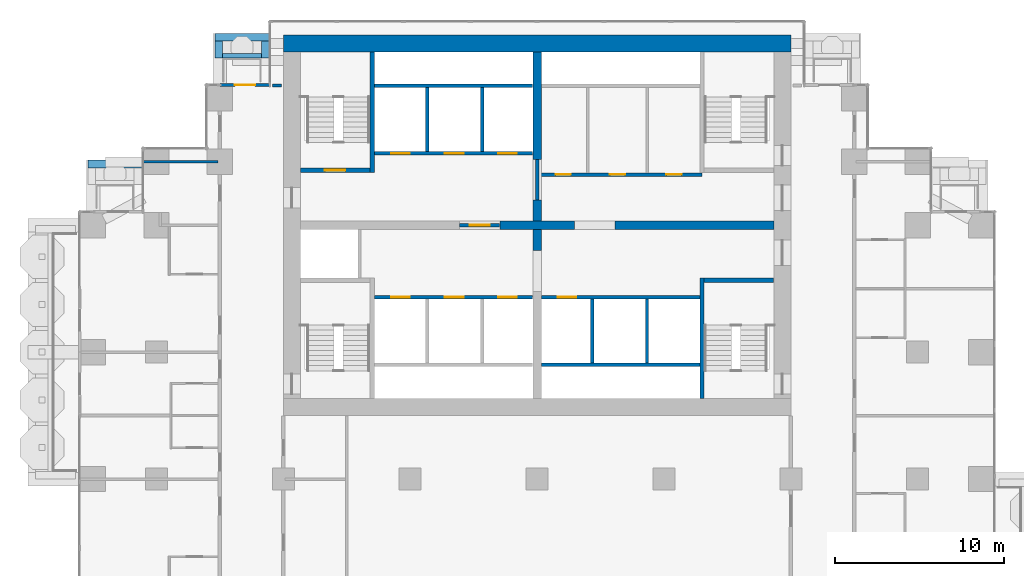
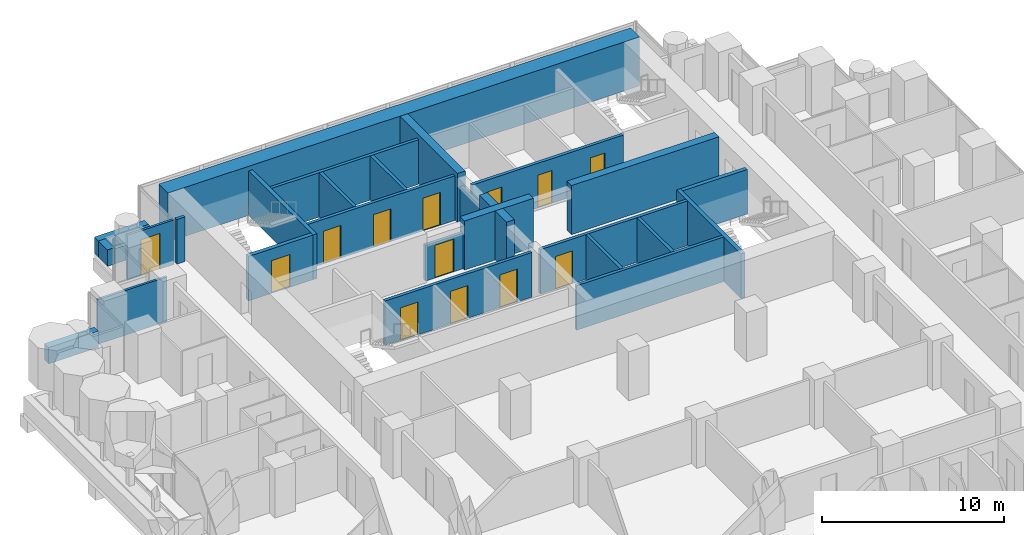
# One storey, part 14 of 19: 30 walls, 13 doors, 13 openings.
"""IFC4 building model written with IfcOpenShell, lengths in metres."""

from ifc_helpers import new_model, si_unit, direction, frame, frame_2d, origin, place, context, subcontext, project, spatial, rectangle, extrude, material, layer, layer_set, type_object, element, fill, save


model = new_model("IFC4")

# Units and contexts
model_context = context("Model", 3, precision=1e-05, world=origin(), true_north=direction((0.0, 1.0)))
body_context = subcontext(model_context, "Body", "Model", "MODEL_VIEW")
ifc_project = project(units=[si_unit("LENGTHUNIT", "METRE"), si_unit("AREAUNIT", "SQUARE_METRE"), si_unit("VOLUMEUNIT", "CUBIC_METRE"), si_unit("PLANEANGLEUNIT", "RADIAN"), si_unit("MASSUNIT", "GRAM", prefix="KILO")], contexts=[model_context])

# Site, building, storey
site_placement = place(None, origin())
site = spatial("IfcSite", under=ifc_project, at=site_placement, CompositionType="ELEMENT")
building_placement = place(site_placement, origin())
building = spatial("IfcBuilding", under=site, at=building_placement, Name="Pilkhan Gate Tower", CompositionType="ELEMENT")
storey_placement = place(building_placement, frame((0.0, 0.0, 89.0)))
storey = spatial("IfcBuildingStorey", under=building, at=storey_placement, Name="L21", CompositionType="ELEMENT", Elevation=89.0)

# Walls
ifc_material_1 = material(Name="Concrete C40/50", Category="concrete")
ifc_layer_1 = layer(ifc_material_1, 0.25)
ifc_layer_set_1 = layer_set([ifc_layer_1], Name="Balcony planter BP250")
wall_type_1 = type_object("IfcWallType", Name="Balcony planter BP250", PredefinedType="USERDEFINED", material=ifc_layer_set_1)
wall_1_placement = place(storey_placement, frame((56.39990234375, 92.52490234375, 0.0), z_axis=(0.0, 0.0, 1.0), x_axis=(1.0, 0.0, 0.0)))
element("IfcWall", 1, at=wall_1_placement, inside=storey, type_object=wall_type_1, Name="Balcony planter L21 N", ObjectType="BALCONY PLANTER", PredefinedType="USERDEFINED", context=body_context, shape_type="SweptSolid", body=[
    extrude(rectangle(XDim=2.300048828125, YDim=0.25, at=frame_2d((1.14990234375, 0.0))), origin(), (0.0, 0.0, 1.0), 1.0),
])
ifc_material_2 = material(Name="Board-marked Concrete C40/50", Category="concrete")
ifc_layer_2 = layer(ifc_material_2, 0.449951171875)
ifc_layer_set_2 = layer_set([ifc_layer_2], Name="Balcony planter lip BL450")
wall_type_2 = type_object("IfcWallType", Name="Balcony planter lip BL450", PredefinedType="USERDEFINED", material=ifc_layer_set_2)
wall_2_placement = place(storey_placement, frame((55.949951171875, 93.625, 0.0), z_axis=(0.0, 0.0, 1.0), x_axis=(1.0, 0.0, 0.0)))
element("IfcWall", 2, at=wall_2_placement, inside=storey, type_object=wall_type_2, Name="Balcony planter L21 N", ObjectType="BALCONY PLANTER", PredefinedType="USERDEFINED", context=body_context, shape_type="SweptSolid", body=[
    extrude(rectangle(XDim=3.199951171875, YDim=0.449951171875, at=frame_2d((1.60009765625, 0.0))), origin(), (0.0, 0.0, 1.0), 1.10009765625),
])
for number, where, z_axis, x_axis, name in (
    (3, (56.175048828125, 92.39990234375, 0.0), (0.0, 0.0, 1.0), (0.0, 1.0, 0.0), "Balcony planter L21 N"),
    (4, (58.925048828125, 92.39990234375, 0.0), (0.0, 0.0, 1.0), (0.0, 1.0, 0.0), "Balcony planter L21 N"),
):
    element("IfcWall", number, at=place(storey_placement, frame(where, z_axis=z_axis, x_axis=x_axis)), inside=storey, type_object=wall_type_2, Name=name, ObjectType="BALCONY PLANTER", PredefinedType="USERDEFINED", context=body_context, shape_type="SweptSolid", body=[
        extrude(rectangle(XDim=1.0, YDim=0.449951171875, at=frame_2d((0.5, 0.0))), origin(), (0.0, 0.0, 1.0), 1.10009765625),
    ])
wall_3_placement = place(storey_placement, frame((48.449951171875, 86.125, 0.0), z_axis=(0.0, 0.0, 1.0), x_axis=(1.0, 0.0, 0.0)))
element("IfcWall", 5, at=wall_3_placement, inside=storey, type_object=wall_type_2, Name="Balcony planter L21 N", ObjectType="BALCONY PLANTER", PredefinedType="USERDEFINED", context=body_context, shape_type="SweptSolid", body=[
    extrude(rectangle(XDim=3.179931640625, YDim=0.449951171875, at=frame_2d((1.58984375, 0.0))), origin(), (0.0, 0.0, 1.0), 1.10009765625),
])
ifc_material_3 = material(Name="Concrete C70/85", Category="concrete")
ifc_layer_3 = layer(ifc_material_3, 1.0)
ifc_layer_set_3 = layer_set([ifc_layer_3], Name="Core wall CW1000 C70/85")
wall_type_3 = type_object("IfcWallType", Name="Core wall CW1000 C70/85", PredefinedType="SHEAR", material=ifc_layer_set_3)
wall_4_placement = place(storey_placement, frame((90.0, 93.25, 0.0), z_axis=(0.0, 0.0, 1.0), x_axis=(-1.0, 0.0, 0.0)))
element("IfcWall", 6, at=wall_4_placement, inside=storey, type_object=wall_type_3, Name="Core wall N L21", PredefinedType="SHEAR", context=body_context, shape_type="SweptSolid", body=[
    extrude(rectangle(XDim=30.0, YDim=1.0, at=frame_2d((15.0, 0.0))), origin(), (0.0, 0.0, 1.0), 3.300048828125),
])
ifc_material_4 = material(Name="Dense blockwork", Category="masonry")
ifc_layer_4 = layer(ifc_material_4, 0.199951171875)
ifc_layer_set_4 = layer_set([ifc_layer_4], Name="Corridor wall FW200")
wall_type_4 = type_object("IfcWallType", Name="Corridor wall FW200", PredefinedType="PARTITIONING", material=ifc_layer_set_4)
wall_5_placement = place(storey_placement, frame((59.35498046875, 90.764892578125, 0.0), z_axis=(0.0, 0.0, 1.0), x_axis=(1.0, 0.0, 0.0)))
element("IfcWall", 7, at=wall_5_placement, inside=storey, type_object=wall_type_4, Name="Partition L21", PredefinedType="PARTITIONING", context=body_context, shape_type="SweptSolid", body=[
    extrude(rectangle(XDim=0.52490234375, YDim=0.199951171875, at=frame_2d((0.262451171875, 0.0))), origin(), (0.0, 0.0, 1.0), 3.0),
])

# Wall, opening, door
ifc_material_5 = material(Name="Pale anodised aluminium, clear laminated glazing", Category="aluminium")
ifc_layer_5 = layer(ifc_material_5, 0.14990234375)
ifc_layer_set_5 = layer_set([ifc_layer_5], Name="Facade infill wall IW150")
wall_type_5 = type_object("IfcWallType", Name="Facade infill wall IW150", PredefinedType="SOLIDWALL", material=ifc_layer_set_5)
wall_6_placement = place(storey_placement, frame((56.25, 90.794921875, 0.0), z_axis=(0.0, 0.0, 1.0), x_axis=(1.0, 0.0, 0.0)))
wall_6 = element("IfcWall", 8, at=wall_6_placement, inside=storey, type_object=wall_type_5, Name="Infill wall L21 N", PredefinedType="SOLIDWALL", context=body_context, shape_type="SweptSolid", body=[
    extrude(rectangle(XDim=2.955078125, YDim=0.14990234375, at=frame_2d((1.4775390625, 0.0))), origin(), (0.0, 0.0, 1.0), 3.0),
])
opening_1_placement = place(wall_6_placement, frame((0.87744140625, 0.0, 0.0)))
opening_1 = element("IfcOpeningElement", 9, at=opening_1_placement, cuts=wall_6, Name="Opening D1", PredefinedType="OPENING", context=body_context, shape_type="SweptSolid", body=[
    extrude(rectangle(XDim=1.199951171875, YDim=2.39990234375, at=frame_2d((0.60009765625, 1.199951171875))), frame((0.0, 0.0849609375, 0.0), z_axis=(0.0, -1.0, 0.0), x_axis=(1.0, 0.0, 0.0)), (0.0, 0.0, 1.0), 0.169921875),
])
ifc_material_6 = material(Name="Pale anodised aluminium, clear glazing", Category="aluminium")
door_type_1 = type_object("IfcDoorType", Name="Balcony door D1 1200x2400", OperationType="SINGLE_SWING_LEFT", PredefinedType="DOOR", material=ifc_material_6)
door_1_placement = place(opening_1_placement, origin())
door_1 = element("IfcDoor", 10, at=door_1_placement, inside=storey, type_object=door_type_1, Name="Balcony door L21", OperationType="SINGLE_SWING_LEFT", OverallHeight=2.39990234375, OverallWidth=1.199951171875, PredefinedType="DOOR", context=body_context, shape_type="SweptSolid", body=[
    extrude(rectangle(XDim=1.199951171875, YDim=2.39990234375, at=frame_2d((0.60009765625, 1.199951171875))), frame((0.0, 0.02490234375, 0.0), z_axis=(0.0, -1.0, 0.0), x_axis=(1.0, 0.0, 0.0)), (0.0, 0.0, 1.0), 0.050048828125),
])
fill(opening_1, door_1)

ifc_layer_6 = layer(ifc_material_4, 0.199951171875)
ifc_layer_set_6 = layer_set([ifc_layer_6], Name="Lobby wall LW200")
wall_type_6 = type_object("IfcWallType", Name="Lobby wall LW200", PredefinedType="PARTITIONING", material=ifc_layer_set_6)
wall_7_placement = place(storey_placement, frame((70.409912109375, 82.5, 0.0), z_axis=(0.0, 0.0, 1.0), x_axis=(1.0, 0.0, 0.0)))
wall_7 = element("IfcWall", 11, at=wall_7_placement, inside=storey, type_object=wall_type_6, Name="Partition L21", PredefinedType="PARTITIONING", context=body_context, shape_type="SweptSolid", body=[
    extrude(rectangle(XDim=2.380126953125, YDim=0.199951171875, at=frame_2d((1.18994140625, 0.0))), origin(), (0.0, 0.0, 1.0), 2.39990234375),
])
opening_2_placement = place(wall_7_placement, frame((0.60009765625, 0.0, 0.0)))
opening_2 = element("IfcOpeningElement", 12, at=opening_2_placement, cuts=wall_7, Name="Opening L21-01", PredefinedType="OPENING", context=body_context, shape_type="SweptSolid", body=[
    extrude(rectangle(XDim=1.199951171875, YDim=2.199951171875, at=frame_2d((0.60009765625, 1.10009765625))), frame((0.0, 0.10986328125, 0.0), z_axis=(0.0, -1.0, 0.0), x_axis=(1.0, 0.0, 0.0)), (0.0, 0.0, 1.0), 0.219970703125),
])
ifc_material_7 = material(Name="Steel door, 120 minute fire resisting, self-closing", Category="steel")
door_type_2 = type_object("IfcDoorType", Name="Firefighting lobby door D10 1200x2200", OperationType="SINGLE_SWING_LEFT", PredefinedType="DOOR", material=ifc_material_7)
door_2_placement = place(opening_2_placement, origin())
door_2 = element("IfcDoor", 13, at=door_2_placement, inside=storey, type_object=door_type_2, Name="Firefighting lobby door", OperationType="SINGLE_SWING_LEFT", OverallHeight=2.199951171875, OverallWidth=1.199951171875, PredefinedType="DOOR", context=body_context, shape_type="SweptSolid", body=[
    extrude(rectangle(XDim=1.199951171875, YDim=2.199951171875, at=frame_2d((0.60009765625, 1.10009765625))), frame((0.0, 0.02490234375, 0.0), z_axis=(0.0, -1.0, 0.0), x_axis=(1.0, 0.0, 0.0)), (0.0, 0.0, 1.0), 0.050048828125),
])
fill(opening_2, door_2)

# Wall, openings, doors
wall_8_placement = place(storey_placement, frame((75.10009765625, 85.5, 0.0), z_axis=(0.0, 0.0, 1.0), x_axis=(1.0, 0.0, 0.0)))
wall_8 = element("IfcWall", 14, at=wall_8_placement, inside=storey, type_object=wall_type_6, Name="Partition L21", PredefinedType="PARTITIONING", context=body_context, shape_type="SweptSolid", body=[
    extrude(rectangle(XDim=9.64990234375, YDim=0.199951171875, at=frame_2d((4.824951171875, 0.0))), origin(), (0.0, 0.0, 1.0), 3.0),
])
opening_3_placement = place(wall_8_placement, frame((1.0, 0.0, 0.0)))
opening_3 = element("IfcOpeningElement", 15, at=opening_3_placement, cuts=wall_8, Name="Opening L21-51", PredefinedType="OPENING", context=body_context, shape_type="SweptSolid", body=[
    extrude(rectangle(XDim=0.89990234375, YDim=2.199951171875, at=frame_2d((0.449951171875, 1.10009765625))), frame((0.0, 0.10986328125, 0.0), z_axis=(0.0, -1.0, 0.0), x_axis=(1.0, 0.0, 0.0)), (0.0, 0.0, 1.0), 0.219970703125),
])
opening_4_placement = place(wall_8_placement, frame((4.199951171875, 0.0, 0.0)))
opening_4 = element("IfcOpeningElement", 16, at=opening_4_placement, cuts=wall_8, Name="Opening L21-52", PredefinedType="OPENING", context=body_context, shape_type="SweptSolid", body=[
    extrude(rectangle(XDim=0.89990234375, YDim=2.199951171875, at=frame_2d((0.449951171875, 1.10009765625))), frame((0.0, 0.10986328125, 0.0), z_axis=(0.0, -1.0, 0.0), x_axis=(1.0, 0.0, 0.0)), (0.0, 0.0, 1.0), 0.219970703125),
])
opening_5_placement = place(wall_8_placement, frame((7.550048828125, 0.0, 0.0)))
opening_5 = element("IfcOpeningElement", 17, at=opening_5_placement, cuts=wall_8, Name="Opening L21-53", PredefinedType="OPENING", context=body_context, shape_type="SweptSolid", body=[
    extrude(rectangle(XDim=0.89990234375, YDim=2.199951171875, at=frame_2d((0.449951171875, 1.10009765625))), frame((0.0, 0.10986328125, 0.0), z_axis=(0.0, -1.0, 0.0), x_axis=(1.0, 0.0, 0.0)), (0.0, 0.0, 1.0), 0.219970703125),
])
ifc_material_8 = material(Name="Timber flush door, 60 minute fire resisting, self-closing", Category="wood")
door_type_3 = type_object("IfcDoorType", Name="Store door D05 900x2200", OperationType="SINGLE_SWING_LEFT", PredefinedType="DOOR", material=ifc_material_8)
door_3_placement = place(opening_4_placement, origin())
door_3 = element("IfcDoor", 18, at=door_3_placement, inside=storey, type_object=door_type_3, Name="Store door", OperationType="SINGLE_SWING_RIGHT", OverallHeight=2.199951171875, OverallWidth=0.89990234375, PredefinedType="DOOR", context=body_context, shape_type="SweptSolid", body=[
    extrude(rectangle(XDim=0.89990234375, YDim=2.199951171875, at=frame_2d((0.449951171875, 1.10009765625))), frame((0.0, 0.02490234375, 0.0), z_axis=(0.0, -1.0, 0.0), x_axis=(1.0, 0.0, 0.0)), (0.0, 0.0, 1.0), 0.050048828125),
])
fill(opening_4, door_3)
door_4_placement = place(opening_5_placement, origin())
door_4 = element("IfcDoor", 19, at=door_4_placement, inside=storey, type_object=door_type_3, Name="Store door", OperationType="SINGLE_SWING_LEFT", OverallHeight=2.199951171875, OverallWidth=0.89990234375, PredefinedType="DOOR", context=body_context, shape_type="SweptSolid", body=[
    extrude(rectangle(XDim=0.89990234375, YDim=2.199951171875, at=frame_2d((0.449951171875, 1.10009765625))), frame((0.0, 0.02490234375, 0.0), z_axis=(0.0, -1.0, 0.0), x_axis=(1.0, 0.0, 0.0)), (0.0, 0.0, 1.0), 0.050048828125),
])
fill(opening_5, door_4)
ifc_material_9 = material(Name="Timber flush door, 30 minute fire resisting", Category="wood")
door_type_4 = type_object("IfcDoorType", Name="Toilet door D06 900x2200", OperationType="SINGLE_SWING_LEFT", PredefinedType="DOOR", material=ifc_material_9)
door_5_placement = place(opening_3_placement, origin())
door_5 = element("IfcDoor", 20, at=door_5_placement, inside=storey, type_object=door_type_4, Name="Toilet door", OperationType="SINGLE_SWING_LEFT", OverallHeight=2.199951171875, OverallWidth=0.89990234375, PredefinedType="DOOR", context=body_context, shape_type="SweptSolid", body=[
    extrude(rectangle(XDim=0.89990234375, YDim=2.199951171875, at=frame_2d((0.449951171875, 1.10009765625))), frame((0.0, 0.02490234375, 0.0), z_axis=(0.0, -1.0, 0.0), x_axis=(1.0, 0.0, 0.0)), (0.0, 0.0, 1.0), 0.050048828125),
])
fill(opening_3, door_5)

# Walls
wall_9_placement = place(storey_placement, frame((75.0, 84.010009765625, 0.0), z_axis=(0.0, 0.0, 1.0), x_axis=(0.0, 1.0, 0.0)))
element("IfcWall", 21, at=wall_9_placement, inside=storey, type_object=wall_type_6, Name="Partition L21", PredefinedType="PARTITIONING", context=body_context, shape_type="SweptSolid", body=[
    extrude(rectangle(XDim=2.3798828125, YDim=0.199951171875, at=frame_2d((1.18994140625, 0.0))), origin(), (0.0, 0.0, 1.0), 2.39990234375),
])
ifc_material_10 = material(Name="Blockwork partition, plastered both sides", Category="masonry")
ifc_layer_7 = layer(ifc_material_10, 0.14990234375)
ifc_layer_set_7 = layer_set([ifc_layer_7], Name="Partition PW150")
wall_type_7 = type_object("IfcWallType", Name="Partition PW150", PredefinedType="PARTITIONING", material=ifc_layer_set_7)
wall_10_placement = place(storey_placement, frame((51.735107421875, 86.25, 0.0), z_axis=(0.0, 0.0, 1.0), x_axis=(1.0, 0.0, 0.0)))
element("IfcWall", 22, at=wall_10_placement, inside=storey, type_object=wall_type_7, Name="Partition L21", PredefinedType="PARTITIONING", context=body_context, shape_type="SweptSolid", body=[
    extrude(rectangle(XDim=4.414794921875, YDim=0.14990234375, at=frame_2d((2.20751953125, 0.0))), origin(), (0.0, 0.0, 1.0), 3.0),
])
ifc_material_11 = material(Name="Reinforced blockwork shaft wall, 120 minute fire resisting", Category="masonry")
ifc_layer_8 = layer(ifc_material_11, 0.199951171875)
ifc_layer_set_8 = layer_set([ifc_layer_8], Name="Shaft wall SW200")
wall_type_8 = type_object("IfcWallType", Name="Shaft wall SW200", PredefinedType="PARTITIONING", material=ifc_layer_set_8)
wall_11_placement = place(storey_placement, frame((75.260009765625, 74.25, 0.0), z_axis=(0.0, 0.0, 1.0), x_axis=(1.0, 0.0, 0.0)))
element("IfcWall", 23, at=wall_11_placement, inside=storey, type_object=wall_type_8, Name="Partition L21", PredefinedType="PARTITIONING", context=body_context, shape_type="SweptSolid", body=[
    extrude(rectangle(XDim=9.364990234375, YDim=0.199951171875, at=frame_2d((4.6826171875, 0.0))), origin(), (0.0, 0.0, 1.0), 3.0),
])

# Wall, openings, doors
wall_12_placement = place(storey_placement, frame((65.375, 78.25, 0.0), z_axis=(0.0, 0.0, 1.0), x_axis=(1.0, 0.0, 0.0)))
wall_12 = element("IfcWall", 24, at=wall_12_placement, inside=storey, type_object=wall_type_8, Name="Partition L21", PredefinedType="PARTITIONING", context=body_context, shape_type="SweptSolid", body=[
    extrude(rectangle(XDim=9.364990234375, YDim=0.199951171875, at=frame_2d((4.6826171875, 0.0))), origin(), (0.0, 0.0, 1.0), 3.0),
])
opening_6_placement = place(wall_12_placement, frame((1.0, 0.0, 0.0)))
opening_6 = element("IfcOpeningElement", 25, at=opening_6_placement, cuts=wall_12, Name="Opening LD", PredefinedType="OPENING", context=body_context, shape_type="SweptSolid", body=[
    extrude(rectangle(XDim=1.10009765625, YDim=2.199951171875, at=frame_2d((0.550048828125, 1.10009765625))), frame((0.0, 0.10986328125, 0.0), z_axis=(0.0, -1.0, 0.0), x_axis=(1.0, 0.0, 0.0)), (0.0, 0.0, 1.0), 0.219970703125),
])
opening_7_placement = place(wall_12_placement, frame((4.175048828125, 0.0, 0.0)))
opening_7 = element("IfcOpeningElement", 26, at=opening_7_placement, cuts=wall_12, Name="Opening LD", PredefinedType="OPENING", context=body_context, shape_type="SweptSolid", body=[
    extrude(rectangle(XDim=1.10009765625, YDim=2.199951171875, at=frame_2d((0.550048828125, 1.10009765625))), frame((0.0, 0.10986328125, 0.0), z_axis=(0.0, -1.0, 0.0), x_axis=(1.0, 0.0, 0.0)), (0.0, 0.0, 1.0), 0.219970703125),
])
opening_8_placement = place(wall_12_placement, frame((7.324951171875, 0.0, 0.0)))
opening_8 = element("IfcOpeningElement", 27, at=opening_8_placement, cuts=wall_12, Name="Opening LD", PredefinedType="OPENING", context=body_context, shape_type="SweptSolid", body=[
    extrude(rectangle(XDim=1.10009765625, YDim=2.199951171875, at=frame_2d((0.550048828125, 1.10009765625))), frame((0.0, 0.10986328125, 0.0), z_axis=(0.0, -1.0, 0.0), x_axis=(1.0, 0.0, 0.0)), (0.0, 0.0, 1.0), 0.219970703125),
])
ifc_material_12 = material(Name="Stainless steel centre-opening landing door, 120 minute fire resisting", Category="steel")
door_type_5 = type_object("IfcDoorType", Name="Lift landing door LD 1100x2200", OperationType="DOUBLE_DOOR_SLIDING", PredefinedType="DOOR", material=ifc_material_12)
door_6_placement = place(opening_6_placement, origin())
door_6 = element("IfcDoor", 28, at=door_6_placement, inside=storey, type_object=door_type_5, Name="Landing door LR1", OperationType="DOUBLE_DOOR_SLIDING", OverallHeight=2.199951171875, OverallWidth=1.10009765625, PredefinedType="DOOR", context=body_context, shape_type="SweptSolid", body=[
    extrude(rectangle(XDim=1.10009765625, YDim=2.199951171875, at=frame_2d((0.550048828125, 1.10009765625))), frame((0.0, 0.02490234375, 0.0), z_axis=(0.0, -1.0, 0.0), x_axis=(1.0, 0.0, 0.0)), (0.0, 0.0, 1.0), 0.050048828125),
])
fill(opening_6, door_6)
door_7_placement = place(opening_7_placement, origin())
door_7 = element("IfcDoor", 29, at=door_7_placement, inside=storey, type_object=door_type_5, Name="Landing door LR2", OperationType="DOUBLE_DOOR_SLIDING", OverallHeight=2.199951171875, OverallWidth=1.10009765625, PredefinedType="DOOR", context=body_context, shape_type="SweptSolid", body=[
    extrude(rectangle(XDim=1.10009765625, YDim=2.199951171875, at=frame_2d((0.550048828125, 1.10009765625))), frame((0.0, 0.02490234375, 0.0), z_axis=(0.0, -1.0, 0.0), x_axis=(1.0, 0.0, 0.0)), (0.0, 0.0, 1.0), 0.050048828125),
])
fill(opening_7, door_7)
door_8_placement = place(opening_8_placement, origin())
door_8 = element("IfcDoor", 30, at=door_8_placement, inside=storey, type_object=door_type_5, Name="Landing door LR3", OperationType="DOUBLE_DOOR_SLIDING", OverallHeight=2.199951171875, OverallWidth=1.10009765625, PredefinedType="DOOR", context=body_context, shape_type="SweptSolid", body=[
    extrude(rectangle(XDim=1.10009765625, YDim=2.199951171875, at=frame_2d((0.550048828125, 1.10009765625))), frame((0.0, 0.02490234375, 0.0), z_axis=(0.0, -1.0, 0.0), x_axis=(1.0, 0.0, 0.0)), (0.0, 0.0, 1.0), 0.050048828125),
])
fill(opening_8, door_8)

# Wall, opening, door
wall_13_placement = place(storey_placement, frame((75.260009765625, 78.25, 0.0), z_axis=(0.0, 0.0, 1.0), x_axis=(1.0, 0.0, 0.0)))
wall_13 = element("IfcWall", 31, at=wall_13_placement, inside=storey, type_object=wall_type_8, Name="Partition L21", PredefinedType="PARTITIONING", context=body_context, shape_type="SweptSolid", body=[
    extrude(rectangle(XDim=9.364990234375, YDim=0.199951171875, at=frame_2d((4.6826171875, 0.0))), origin(), (0.0, 0.0, 1.0), 3.0),
])
opening_9_placement = place(wall_13_placement, frame((0.949951171875, 0.0, 0.0)))
opening_9 = element("IfcOpeningElement", 32, at=opening_9_placement, cuts=wall_13, Name="Opening LD", PredefinedType="OPENING", context=body_context, shape_type="SweptSolid", body=[
    extrude(rectangle(XDim=1.10009765625, YDim=2.199951171875, at=frame_2d((0.550048828125, 1.10009765625))), frame((0.0, 0.10986328125, 0.0), z_axis=(0.0, -1.0, 0.0), x_axis=(1.0, 0.0, 0.0)), (0.0, 0.0, 1.0), 0.219970703125),
])
door_9_placement = place(opening_9_placement, origin())
door_9 = element("IfcDoor", 33, at=door_9_placement, inside=storey, type_object=door_type_5, Name="Landing door LR4", OperationType="DOUBLE_DOOR_SLIDING", OverallHeight=2.199951171875, OverallWidth=1.10009765625, PredefinedType="DOOR", context=body_context, shape_type="SweptSolid", body=[
    extrude(rectangle(XDim=1.10009765625, YDim=2.199951171875, at=frame_2d((0.550048828125, 1.10009765625))), frame((0.0, 0.02490234375, 0.0), z_axis=(0.0, -1.0, 0.0), x_axis=(1.0, 0.0, 0.0)), (0.0, 0.0, 1.0), 0.050048828125),
])
fill(opening_9, door_9)

# Wall, openings, doors
wall_14_placement = place(storey_placement, frame((65.375, 86.75, 0.0), z_axis=(0.0, 0.0, 1.0), x_axis=(1.0, 0.0, 0.0)))
wall_14 = element("IfcWall", 34, at=wall_14_placement, inside=storey, type_object=wall_type_8, Name="Partition L21", PredefinedType="PARTITIONING", context=body_context, shape_type="SweptSolid", body=[
    extrude(rectangle(XDim=9.364990234375, YDim=0.199951171875, at=frame_2d((4.6826171875, 0.0))), origin(), (0.0, 0.0, 1.0), 3.0),
])
opening_10_placement = place(wall_14_placement, frame((1.0, 0.0, 0.0)))
opening_10 = element("IfcOpeningElement", 35, at=opening_10_placement, cuts=wall_14, Name="Opening LD", PredefinedType="OPENING", context=body_context, shape_type="SweptSolid", body=[
    extrude(rectangle(XDim=1.10009765625, YDim=2.199951171875, at=frame_2d((0.550048828125, 1.10009765625))), frame((0.0, 0.10986328125, 0.0), z_axis=(0.0, -1.0, 0.0), x_axis=(1.0, 0.0, 0.0)), (0.0, 0.0, 1.0), 0.219970703125),
])
opening_11_placement = place(wall_14_placement, frame((4.175048828125, 0.0, 0.0)))
opening_11 = element("IfcOpeningElement", 36, at=opening_11_placement, cuts=wall_14, Name="Opening LD", PredefinedType="OPENING", context=body_context, shape_type="SweptSolid", body=[
    extrude(rectangle(XDim=1.10009765625, YDim=2.199951171875, at=frame_2d((0.550048828125, 1.10009765625))), frame((0.0, 0.10986328125, 0.0), z_axis=(0.0, -1.0, 0.0), x_axis=(1.0, 0.0, 0.0)), (0.0, 0.0, 1.0), 0.219970703125),
])
opening_12_placement = place(wall_14_placement, frame((7.324951171875, 0.0, 0.0)))
opening_12 = element("IfcOpeningElement", 37, at=opening_12_placement, cuts=wall_14, Name="Opening LD", PredefinedType="OPENING", context=body_context, shape_type="SweptSolid", body=[
    extrude(rectangle(XDim=1.10009765625, YDim=2.199951171875, at=frame_2d((0.550048828125, 1.10009765625))), frame((0.0, 0.10986328125, 0.0), z_axis=(0.0, -1.0, 0.0), x_axis=(1.0, 0.0, 0.0)), (0.0, 0.0, 1.0), 0.219970703125),
])
door_10_placement = place(opening_10_placement, origin())
door_10 = element("IfcDoor", 38, at=door_10_placement, inside=storey, type_object=door_type_5, Name="Landing door FF1", OperationType="DOUBLE_DOOR_SLIDING", OverallHeight=2.199951171875, OverallWidth=1.10009765625, PredefinedType="DOOR", context=body_context, shape_type="SweptSolid", body=[
    extrude(rectangle(XDim=1.10009765625, YDim=2.199951171875, at=frame_2d((0.550048828125, 1.10009765625))), frame((0.0, 0.02490234375, 0.0), z_axis=(0.0, -1.0, 0.0), x_axis=(1.0, 0.0, 0.0)), (0.0, 0.0, 1.0), 0.050048828125),
])
fill(opening_10, door_10)
door_11_placement = place(opening_11_placement, origin())
door_11 = element("IfcDoor", 39, at=door_11_placement, inside=storey, type_object=door_type_5, Name="Landing door FF2", OperationType="DOUBLE_DOOR_SLIDING", OverallHeight=2.199951171875, OverallWidth=1.10009765625, PredefinedType="DOOR", context=body_context, shape_type="SweptSolid", body=[
    extrude(rectangle(XDim=1.10009765625, YDim=2.199951171875, at=frame_2d((0.550048828125, 1.10009765625))), frame((0.0, 0.02490234375, 0.0), z_axis=(0.0, -1.0, 0.0), x_axis=(1.0, 0.0, 0.0)), (0.0, 0.0, 1.0), 0.050048828125),
])
fill(opening_11, door_11)
door_12_placement = place(opening_12_placement, origin())
door_12 = element("IfcDoor", 40, at=door_12_placement, inside=storey, type_object=door_type_5, Name="Landing door SV1", OperationType="DOUBLE_DOOR_SLIDING", OverallHeight=2.199951171875, OverallWidth=1.10009765625, PredefinedType="DOOR", context=body_context, shape_type="SweptSolid", body=[
    extrude(rectangle(XDim=1.10009765625, YDim=2.199951171875, at=frame_2d((0.550048828125, 1.10009765625))), frame((0.0, 0.02490234375, 0.0), z_axis=(0.0, -1.0, 0.0), x_axis=(1.0, 0.0, 0.0)), (0.0, 0.0, 1.0), 0.050048828125),
])
fill(opening_12, door_12)

# Walls
wall_15_placement = place(storey_placement, frame((65.375, 90.75, 0.0), z_axis=(0.0, 0.0, 1.0), x_axis=(1.0, 0.0, 0.0)))
element("IfcWall", 41, at=wall_15_placement, inside=storey, type_object=wall_type_8, Name="Partition L21", PredefinedType="PARTITIONING", context=body_context, shape_type="SweptSolid", body=[
    extrude(rectangle(XDim=9.364990234375, YDim=0.199951171875, at=frame_2d((4.6826171875, 0.0))), origin(), (0.0, 0.0, 1.0), 3.0),
])
for number, where, z_axis, x_axis, name in (
    (42, (68.5, 86.85009765625, 0.0), (0.0, 0.0, 1.0), (0.0, 1.0, 0.0), "Partition L21"),
    (43, (71.75, 86.85009765625, 0.0), (0.0, 0.0, 1.0), (0.0, 1.0, 0.0), "Partition L21"),
    (44, (78.25, 74.35009765625, 0.0), (0.0, 0.0, 1.0), (0.0, 1.0, 0.0), "Partition L21"),
    (45, (81.5, 74.35009765625, 0.0), (0.0, 0.0, 1.0), (0.0, 1.0, 0.0), "Partition L21"),
):
    element("IfcWall", number, at=place(storey_placement, frame(where, z_axis=z_axis, x_axis=x_axis)), inside=storey, type_object=wall_type_8, Name=name, PredefinedType="PARTITIONING", context=body_context, shape_type="SweptSolid", body=[
        extrude(rectangle(XDim=3.7998046875, YDim=0.199951171875, at=frame_2d((1.89990234375, 0.0))), origin(), (0.0, 0.0, 1.0), 3.0),
    ])
ifc_layer_9 = layer(ifc_material_3, 0.5)
ifc_layer_set_9 = layer_set([ifc_layer_9], Name="Spine wall SW500 C70/85")
wall_type_9 = type_object("IfcWallType", Name="Spine wall SW500 C70/85", PredefinedType="SHEAR", material=ifc_layer_set_9)
wall_16_placement = place(storey_placement, frame((72.800048828125, 82.5, 0.0), z_axis=(0.0, 0.0, 1.0), x_axis=(1.0, 0.0, 0.0)))
element("IfcWall", 46, at=wall_16_placement, inside=storey, type_object=wall_type_9, Name="Spine wall SP-EW2 L21", PredefinedType="SHEAR", context=body_context, shape_type="SweptSolid", body=[
    extrude(rectangle(XDim=4.39990234375, YDim=0.5, at=frame_2d((2.199951171875, 0.0))), origin(), (0.0, 0.0, 1.0), 3.300048828125),
])
wall_17_placement = place(storey_placement, frame((79.60009765625, 82.5, 0.0), z_axis=(0.0, 0.0, 1.0), x_axis=(1.0, 0.0, 0.0)))
element("IfcWall", 47, at=wall_17_placement, inside=storey, type_object=wall_type_9, Name="Spine wall SP-EW3 L21", PredefinedType="SHEAR", context=body_context, shape_type="SweptSolid", body=[
    extrude(rectangle(XDim=9.39990234375, YDim=0.5, at=frame_2d((4.699951171875, 0.0))), origin(), (0.0, 0.0, 1.0), 3.300048828125),
])
for number, where, z_axis, x_axis, name in (
    (48, (75.0, 81.0, 0.0), (0.0, 0.0, 1.0), (0.0, 1.0, 0.0), "Spine wall SP-NS-S2 L21"),
    (49, (75.0, 82.75, 0.0), (0.0, 0.0, 1.0), (0.0, 1.0, 0.0), "Spine wall SP-NS-N1 L21"),
):
    element("IfcWall", number, at=place(storey_placement, frame(where, z_axis=z_axis, x_axis=x_axis)), inside=storey, type_object=wall_type_9, Name=name, PredefinedType="SHEAR", context=body_context, shape_type="SweptSolid", body=[
        extrude(rectangle(XDim=1.25, YDim=0.5, at=frame_2d((0.625, 0.0))), origin(), (0.0, 0.0, 1.0), 3.300048828125),
    ])
wall_18_placement = place(storey_placement, frame((75.0, 86.39990234375, 0.0), z_axis=(0.0, 0.0, 1.0), x_axis=(0.0, 1.0, 0.0)))
element("IfcWall", 50, at=wall_18_placement, inside=storey, type_object=wall_type_9, Name="Spine wall SP-NS-N2 L21", PredefinedType="SHEAR", context=body_context, shape_type="SweptSolid", body=[
    extrude(rectangle(XDim=6.35009765625, YDim=0.5, at=frame_2d((3.175048828125, 0.0))), origin(), (0.0, 0.0, 1.0), 3.300048828125),
])
ifc_material_13 = material(Name="Reinforced blockwork, 120 minute fire resisting", Category="masonry")
ifc_layer_10 = layer(ifc_material_13, 0.25)
ifc_layer_set_10 = layer_set([ifc_layer_10], Name="Stair enclosure wall SE250")
wall_type_10 = type_object("IfcWallType", Name="Stair enclosure wall SE250", PredefinedType="PARTITIONING", material=ifc_layer_set_10)
wall_19_placement = place(storey_placement, frame((84.875, 79.25, 0.0), z_axis=(0.0, 0.0, 1.0), x_axis=(1.0, 0.0, 0.0)))
element("IfcWall", 51, at=wall_19_placement, inside=storey, type_object=wall_type_10, Name="Partition L21", PredefinedType="PARTITIONING", context=body_context, shape_type="SweptSolid", body=[
    extrude(rectangle(XDim=4.114990234375, YDim=0.25, at=frame_2d((2.0576171875, 0.0))), origin(), (0.0, 0.0, 1.0), 3.0),
])

# Wall, opening, door
wall_20_placement = place(storey_placement, frame((61.010009765625, 85.75, 0.0), z_axis=(0.0, 0.0, 1.0), x_axis=(1.0, 0.0, 0.0)))
wall_20 = element("IfcWall", 52, at=wall_20_placement, inside=storey, type_object=wall_type_10, Name="Partition L21", PredefinedType="PARTITIONING", context=body_context, shape_type="SweptSolid", body=[
    extrude(rectangle(XDim=4.114990234375, YDim=0.25, at=frame_2d((2.0576171875, 0.0))), origin(), (0.0, 0.0, 1.0), 3.0),
])
opening_13_placement = place(wall_20_placement, frame((1.449951171875, 0.0, 0.0)))
opening_13 = element("IfcOpeningElement", 53, at=opening_13_placement, cuts=wall_20, Name="Opening L21-02", PredefinedType="OPENING", context=body_context, shape_type="SweptSolid", body=[
    extrude(rectangle(XDim=1.199951171875, YDim=2.199951171875, at=frame_2d((0.60009765625, 1.10009765625))), frame((0.0, 0.135009765625, 0.0), z_axis=(0.0, -1.0, 0.0), x_axis=(1.0, 0.0, 0.0)), (0.0, 0.0, 1.0), 0.27001953125),
])
ifc_material_14 = material(Name="Steel door, 120 minute fire resisting, panic bar", Category="steel")
door_type_6 = type_object("IfcDoorType", Name="Stair door D11 1200x2200", OperationType="SINGLE_SWING_LEFT", PredefinedType="DOOR", material=ifc_material_14)
door_13_placement = place(opening_13_placement, origin())
door_13 = element("IfcDoor", 54, at=door_13_placement, inside=storey, type_object=door_type_6, Name="Stair ST3 lobby door", OperationType="SINGLE_SWING_LEFT", OverallHeight=2.199951171875, OverallWidth=1.199951171875, PredefinedType="DOOR", context=body_context, shape_type="SweptSolid", body=[
    extrude(rectangle(XDim=1.199951171875, YDim=2.199951171875, at=frame_2d((0.60009765625, 1.10009765625))), frame((0.0, 0.02490234375, 0.0), z_axis=(0.0, -1.0, 0.0), x_axis=(1.0, 0.0, 0.0)), (0.0, 0.0, 1.0), 0.050048828125),
])
fill(opening_13, door_13)

# Walls
for number, where, z_axis, x_axis, name in (
    (55, (65.25, 85.625, 0.0), (0.0, 0.0, 1.0), (0.0, 1.0, 0.0), "Partition L21"),
    (56, (84.75, 72.260009765625, 0.0), (0.0, 0.0, 1.0), (0.0, 1.0, 0.0), "Partition L21"),
):
    element("IfcWall", number, at=place(storey_placement, frame(where, z_axis=z_axis, x_axis=x_axis)), inside=storey, type_object=wall_type_10, Name=name, PredefinedType="PARTITIONING", context=body_context, shape_type="SweptSolid", body=[
        extrude(rectangle(XDim=7.114990234375, YDim=0.25, at=frame_2d((3.5576171875, 0.0))), origin(), (0.0, 0.0, 1.0), 3.0),
    ])

save(model, "model.ifc")
